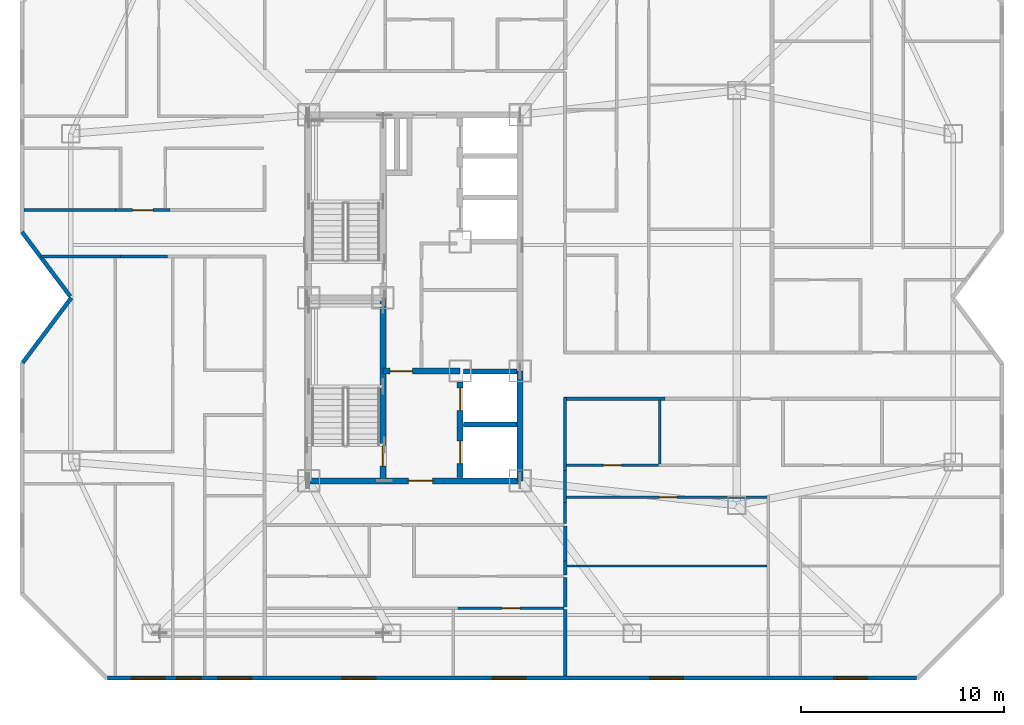
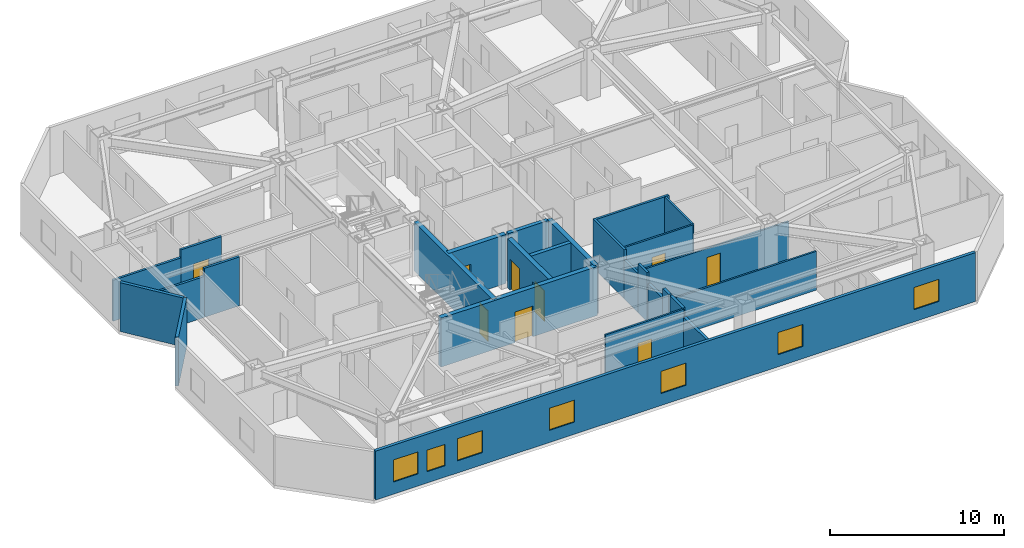
# One storey, part 6 of 11: 27 walls, 9 doors, 7 windows, 16 openings.
"""IFC4 building model written with IfcOpenShell, lengths in metres."""

import ifcopenshell
import ifcopenshell.guid

model = None  # the IFC model being written
_history = None  # IfcOwnerHistory: only IFC2X3 demands one
_inside = {}  # id of a spatial element -> (the spatial element, [elements in it])
_under = {}  # id of a project, library or spatial element -> (it, [spatial elements below it])
_declared = {}  # id of a project -> (the project, [libraries it declares])
_typed = {}  # id of a type object -> (the type object, [elements of that type])
_made_of = {}  # id of a material, layer set ... -> (it, [elements and type objects made of it])


def new_model(schema):
    """Start an empty IFC model of exactly this schema.

    Asked for "IFC4X3", IfcOpenShell would pick the latest addendum, in which some entities
    have other attributes; the version numbers below select the first issue.
    IFC2X3 requires an IfcOwnerHistory on every rooted entity: one is made here for all.
    """
    global model, _history
    if schema == "IFC4X3":
        model = ifcopenshell.file(schema_version=(4, 3, 0, 0))
    else:
        model = ifcopenshell.file(schema=schema)
    _inside.clear()
    _under.clear()
    _declared.clear()
    _typed.clear()
    _made_of.clear()
    _history = None
    if model.schema == "IFC2X3":
        org = make("IfcOrganization", Name="unknown")
        user = make(
            "IfcPersonAndOrganization",
            ThePerson=make("IfcPerson", FamilyName="unknown"),
            TheOrganization=org,
        )
        app = make(
            "IfcApplication",
            ApplicationDeveloper=org,
            Version="unknown",
            ApplicationFullName="unknown",
            ApplicationIdentifier="unknown",
        )
        _history = make(
            "IfcOwnerHistory",
            OwningUser=user,
            OwningApplication=app,
            ChangeAction="ADDED",
            CreationDate=0,
        )
    return model


def make(cls, **values):
    """One entity of the class cls with the attributes given. An attribute that is None is left unset."""
    return model.create_entity(
        cls, **{name: value for name, value in values.items() if value is not None}
    )


def rooted(cls, **values):
    """An entity with a GlobalId (a new one), such as an element, a storey or a relation."""
    return make(cls, GlobalId=ifcopenshell.guid.new(), OwnerHistory=_history, **values)


def si_unit(unit_type, name, prefix=None):
    """IfcSIUnit, for example si_unit("LENGTHUNIT", "METRE", prefix="MILLI")."""
    return make("IfcSIUnit", UnitType=unit_type, Prefix=prefix, Name=name)


def assignment(units):
    """IfcUnitAssignment: the units of a project."""
    return None if units is None else make("IfcUnitAssignment", Units=units)


def point(xyz):
    """IfcCartesianPoint."""
    return None if xyz is None else make("IfcCartesianPoint", Coordinates=xyz)


def direction(xyz):
    """IfcDirection."""
    return None if xyz is None else make("IfcDirection", DirectionRatios=xyz)


def frame(location, z_axis=None, x_axis=None):
    """IfcAxis2Placement3D, a coordinate frame: its origin and axes. An axis left out is left unset."""
    return make(
        "IfcAxis2Placement3D",
        Location=point(location),
        Axis=direction(z_axis),
        RefDirection=direction(x_axis),
    )


def frame_2d(location, x_axis=None):
    """IfcAxis2Placement2D, a coordinate frame in the plane: its origin and x axis."""
    return make(
        "IfcAxis2Placement2D", Location=point(location), RefDirection=direction(x_axis)
    )


def origin():
    """The frame at (0, 0, 0) with its axes left unset."""
    return frame((0.0, 0.0, 0.0))


def place(relative_to, where):
    """IfcLocalPlacement: puts the frame where relative to a parent placement (None: the world)."""
    return make(
        "IfcLocalPlacement", PlacementRelTo=relative_to, RelativePlacement=where
    )


def context(
    kind, dimensions, precision=None, world=None, true_north=None, identifier=None
):
    """IfcGeometricRepresentationContext, for example the 3D "Model" context."""
    return make(
        "IfcGeometricRepresentationContext",
        ContextIdentifier=identifier,
        ContextType=kind,
        CoordinateSpaceDimension=dimensions,
        Precision=precision,
        WorldCoordinateSystem=world,
        TrueNorth=true_north,
    )


def subcontext(parent, identifier, kind, view, scale=None):
    """IfcGeometricRepresentationSubContext, for example "Body" below "Model"."""
    return make(
        "IfcGeometricRepresentationSubContext",
        ContextIdentifier=identifier,
        ContextType=kind,
        ParentContext=parent,
        TargetScale=scale,
        TargetView=view,
    )


def project(units=None, contexts=None):
    """IfcProject with its units and contexts."""
    return rooted(
        "IfcProject",
        Name="project",
        RepresentationContexts=contexts,
        UnitsInContext=assignment(units),
    )


def spatial(cls, under=None, at=None, **own):
    """A site, building, storey or space (cls), placed at a placement, below another one or the project."""
    s = rooted(cls, ObjectPlacement=at, **own)
    if under is not None:
        _under.setdefault(under.id(), (under, []))[1].append(s)
    return s


def profile(cls, at=None, kind="AREA", **sizes):
    """A parametric profile (cls). Its sizes go by their IFC names, for example OverallWidth=200.0."""
    return make(cls, ProfileType=kind, Position=at, **sizes)


def rectangle(**sizes):
    """IfcRectangleProfileDef."""
    return profile("IfcRectangleProfileDef", **sizes)


def extrude(swept, where, along, depth):
    """IfcExtrudedAreaSolid: the profile swept, set in the frame where, extruded along a direction by depth."""
    return make(
        "IfcExtrudedAreaSolid",
        SweptArea=swept,
        Position=where,
        ExtrudedDirection=direction(along),
        Depth=depth,
    )


def shape(context_of_items, identifier, shape_type, items):
    """IfcShapeRepresentation: the items that make up one representation, for example the "Body"."""
    return make(
        "IfcShapeRepresentation",
        ContextOfItems=context_of_items,
        RepresentationIdentifier=identifier,
        RepresentationType=shape_type,
        Items=items,
    )


def material(Name=None, Category=None):
    """IfcMaterial."""
    return make("IfcMaterial", Name=Name, Category=Category)


def layer(
    of_material, thickness, ventilated=None, Name=None, Category=None, Priority=None
):
    """IfcMaterialLayer: one layer of a wall or slab, of a material (None: an air gap)."""
    return make(
        "IfcMaterialLayer",
        Material=of_material,
        LayerThickness=thickness,
        IsVentilated=ventilated,
        Name=Name,
        Category=Category,
        Priority=Priority,
    )


def layer_set(layers, Name=None):
    """IfcMaterialLayerSet."""
    return make("IfcMaterialLayerSet", MaterialLayers=layers, LayerSetName=Name)


def made_of(thing, what):
    """Note that an element or type object is made of a material, layer set ...; save() writes the relation."""
    if what is not None:
        _made_of.setdefault(what.id(), (what, []))[1].append(thing)
    return thing


def type_object(cls, material=None, **own):
    """A type object (cls), such as IfcWallType, which elements share."""
    return made_of(rooted(cls, **own), material)


def element(
    cls,
    number,
    at=None,
    inside=None,
    cuts=None,
    type_object=None,
    material=None,
    context=None,
    identifier="Body",
    shape_type=None,
    held_by="IfcProductDefinitionShape",
    body=None,
    shapes=None,
    **own,
):
    """One element of the class cls, such as IfcWall. Its Tag is "e" and its number.

    at: its placement. inside: the storey or other place that contains it. cuts: it is an
    opening in that element (IfcRelVoidsElement). A single representation is given by context,
    identifier, shape_type and body (its items); several are given by shapes. held_by: the class
    of the entity that holds the representations. save() writes the other relations.
    """
    e = rooted(cls, Tag="e%d" % number, ObjectPlacement=at, **own)
    if body is not None:
        shapes = [shape(context, identifier, shape_type, body)]
    if shapes is not None:
        e.Representation = make(held_by, Representations=shapes)
    if inside is not None:
        _inside.setdefault(inside.id(), (inside, []))[1].append(e)
    if cuts is not None:
        rooted(
            "IfcRelVoidsElement", RelatingBuildingElement=cuts, RelatedOpeningElement=e
        )
    if type_object is not None:
        _typed.setdefault(type_object.id(), (type_object, []))[1].append(e)
    return made_of(e, material)


def fill(opening, filler):
    """IfcRelFillsElement: the door or window that sits in an opening."""
    return rooted(
        "IfcRelFillsElement",
        RelatingOpeningElement=opening,
        RelatedBuildingElement=filler,
    )


def aggregate(whole, parts):
    """IfcRelAggregates: a whole, such as a stair, and the parts it consists of."""
    return rooted("IfcRelAggregates", RelatingObject=whole, RelatedObjects=parts)


def save(model, path):
    """Write the relations noted so far, then the file.

    IfcRelAggregates (storeys below a building ...), IfcRelContainedInSpatialStructure (elements
    in a storey), IfcRelDefinesByType, IfcRelAssociatesMaterial and IfcRelDeclares: one each for
    every whole, place, type object, material and project.
    """
    for whole, parts in _under.values():
        aggregate(whole, parts)
    for where, things in _inside.values():
        rooted(
            "IfcRelContainedInSpatialStructure",
            RelatedElements=things,
            RelatingStructure=where,
        )
    for kind, things in _typed.values():
        rooted("IfcRelDefinesByType", RelatedObjects=things, RelatingType=kind)
    for what, things in _made_of.values():
        rooted("IfcRelAssociatesMaterial", RelatedObjects=things, RelatingMaterial=what)
    for by, libraries in _declared.values():
        rooted("IfcRelDeclares", RelatingContext=by, RelatedDefinitions=libraries)
    model.write(path)


model = new_model("IFC4")

# Units and contexts
model_context = context("Model", 3, precision=1e-05, world=origin(), true_north=direction((0.0, 1.0)))
body_context = subcontext(model_context, "Body", "Model", "MODEL_VIEW")
ifc_project = project(units=[si_unit("LENGTHUNIT", "METRE"), si_unit("AREAUNIT", "SQUARE_METRE"), si_unit("VOLUMEUNIT", "CUBIC_METRE"), si_unit("PLANEANGLEUNIT", "RADIAN"), si_unit("MASSUNIT", "GRAM", prefix="KILO")], contexts=[model_context])

# Site, building, storey
site_placement = place(None, origin())
site = spatial("IfcSite", under=ifc_project, at=site_placement, CompositionType="ELEMENT")
building_placement = place(site_placement, origin())
building = spatial("IfcBuilding", under=site, at=building_placement, Name="Khamvora Tower", CompositionType="ELEMENT")
storey_placement = place(building_placement, frame((0.0, 0.0, 185.10009765625)))
storey = spatial("IfcBuildingStorey", under=building, at=storey_placement, Name="L47", CompositionType="ELEMENT", Elevation=185.10009765625)

# Wall, opening, door
ifc_material_1 = material(Name="Concrete C50/60", Category="concrete")
ifc_layer_1 = layer(ifc_material_1, 0.300048828125)
ifc_layer_set_1 = layer_set([ifc_layer_1], Name="Concrete C50/60")
wall_type_1 = type_object("IfcWallType", Name="WAL-CORE-300", PredefinedType="SHEAR", material=ifc_layer_set_1)
wall_1_placement = place(storey_placement, frame((29.0, 19.0, 0.0), z_axis=(0.0, 0.0, 1.0), x_axis=(1.0, 0.0, 0.0)))
wall_1 = element("IfcWall", 1, at=wall_1_placement, inside=storey, type_object=wall_type_1, Name="L47 central core south wall", PredefinedType="SHEAR", context=body_context, shape_type="SweptSolid", body=[
    extrude(rectangle(XDim=10.39990234375, YDim=0.300048828125, at=frame_2d((5.199951171875, 0.0))), origin(), (0.0, 0.0, 1.0), 3.429931640625),
])
opening_1_placement = place(wall_1_placement, frame((4.89990234375, 0.0, 0.0)))
opening_1 = element("IfcOpeningElement", 2, at=opening_1_placement, cuts=wall_1, Name="Opening D-CR1", PredefinedType="OPENING", context=body_context, shape_type="SweptSolid", body=[
    extrude(rectangle(XDim=1.199951171875, YDim=2.14990234375, at=frame_2d((0.60009765625, 1.074951171875))), frame((0.0, 0.159912109375, 0.0), z_axis=(0.0, -1.0, 0.0), x_axis=(1.0, 0.0, 0.0)), (0.0, 0.0, 1.0), 0.320068359375),
])
ifc_material_2 = material(Name="Powder-Coated Steel and Hardwood Leaf", Category="steel")
door_type_1 = type_object("IfcDoorType", Name="DOR-CORR-1200", OperationType="NOTDEFINED", PredefinedType="DOOR", material=ifc_material_2)
door_1_placement = place(opening_1_placement, origin())
door_1 = element("IfcDoor", 3, at=door_1_placement, inside=storey, type_object=door_type_1, Name="L47 south core lobby to corridor fire door", OperationType="SINGLE_SWING_LEFT", OverallHeight=2.14990234375, OverallWidth=1.199951171875, PredefinedType="DOOR", context=body_context, shape_type="SweptSolid", body=[
    extrude(rectangle(XDim=1.199951171875, YDim=2.14990234375, at=frame_2d((0.60009765625, 1.074951171875))), frame((0.0, 0.02490234375, 0.0), z_axis=(0.0, -1.0, 0.0), x_axis=(1.0, 0.0, 0.0)), (0.0, 0.0, 1.0), 0.050048828125),
])
fill(opening_1, door_1)

# Wall
wall_2_placement = place(storey_placement, frame((39.39990234375, 19.0, 0.0), z_axis=(0.0, 0.0, 1.0), x_axis=(0.0, 1.0, 0.0)))
element("IfcWall", 4, at=wall_2_placement, inside=storey, type_object=wall_type_1, Name="L47 central core east south wall", PredefinedType="SHEAR", context=body_context, shape_type="SweptSolid", body=[
    extrude(rectangle(XDim=5.39990234375, YDim=0.300048828125, at=frame_2d((2.699951171875, 0.0))), origin(), (0.0, 0.0, 1.0), 3.429931640625),
])

# Wall, opening, door
wall_3_placement = place(storey_placement, frame((32.64990234375, 19.0, 0.0), z_axis=(0.0, 0.0, 1.0), x_axis=(0.0, 1.0, 0.0)))
wall_3 = element("IfcWall", 5, at=wall_3_placement, inside=storey, type_object=wall_type_1, Name="L47 central core stair south spine wall", PredefinedType="SHEAR", context=body_context, shape_type="SweptSolid", body=[
    extrude(rectangle(XDim=9.0, YDim=0.300048828125, at=frame_2d((4.5, 0.0))), origin(), (0.0, 0.0, 1.0), 3.429931640625),
])
opening_2_placement = place(wall_3_placement, frame((0.719970703125, 0.0, 0.0)))
opening_2 = element("IfcOpeningElement", 6, at=opening_2_placement, cuts=wall_3, Name="Opening D-ST1", PredefinedType="OPENING", context=body_context, shape_type="SweptSolid", body=[
    extrude(rectangle(XDim=1.0, YDim=2.14990234375, at=frame_2d((0.5, 1.074951171875))), frame((0.0, 0.159912109375, 0.0), z_axis=(0.0, -1.0, 0.0), x_axis=(1.0, 0.0, 0.0)), (0.0, 0.0, 1.0), 0.320068359375),
])
door_type_2 = type_object("IfcDoorType", Name="DOR-STAIR-1000", OperationType="NOTDEFINED", PredefinedType="DOOR", material=ifc_material_2)
door_2_placement = place(opening_2_placement, origin())
door_2 = element("IfcDoor", 7, at=door_2_placement, inside=storey, type_object=door_type_2, Name="L47 exit stair ST-01 fire door", OperationType="SINGLE_SWING_RIGHT", OverallHeight=2.14990234375, OverallWidth=1.0, PredefinedType="DOOR", context=body_context, shape_type="SweptSolid", body=[
    extrude(rectangle(XDim=1.0, YDim=2.14990234375, at=frame_2d((0.5, 1.074951171875))), frame((0.0, 0.02490234375, 0.0), z_axis=(0.0, -1.0, 0.0), x_axis=(1.0, 0.0, 0.0)), (0.0, 0.0, 1.0), 0.050048828125),
])
fill(opening_2, door_2)

wall_4_placement = place(storey_placement, frame((32.64990234375, 24.39990234375, 0.0), z_axis=(0.0, 0.0, 1.0), x_axis=(1.0, 0.0, 0.0)))
wall_4 = element("IfcWall", 8, at=wall_4_placement, inside=storey, type_object=wall_type_1, Name="L47 central core firefighting lobby north wall", PredefinedType="SHEAR", context=body_context, shape_type="SweptSolid", body=[
    extrude(rectangle(XDim=3.800048828125, YDim=0.300048828125, at=frame_2d((1.89990234375, 0.0))), origin(), (0.0, 0.0, 1.0), 3.429931640625),
])
opening_3_placement = place(wall_4_placement, frame((0.35009765625, 0.0, 0.0)))
opening_3 = element("IfcOpeningElement", 9, at=opening_3_placement, cuts=wall_4, Name="Opening D-FF1", PredefinedType="OPENING", context=body_context, shape_type="SweptSolid", body=[
    extrude(rectangle(XDim=1.10009765625, YDim=2.14990234375, at=frame_2d((0.550048828125, 1.074951171875))), frame((0.0, 0.159912109375, 0.0), z_axis=(0.0, -1.0, 0.0), x_axis=(1.0, 0.0, 0.0)), (0.0, 0.0, 1.0), 0.320068359375),
])
door_type_3 = type_object("IfcDoorType", Name="DOR-FFLOB-1100", OperationType="NOTDEFINED", PredefinedType="DOOR", material=ifc_material_2)
door_3_placement = place(opening_3_placement, origin())
door_3 = element("IfcDoor", 10, at=door_3_placement, inside=storey, type_object=door_type_3, Name="L47 firefighting lobby smoke-seal fire door", OperationType="SINGLE_SWING_RIGHT", OverallHeight=2.14990234375, OverallWidth=1.10009765625, PredefinedType="DOOR", context=body_context, shape_type="SweptSolid", body=[
    extrude(rectangle(XDim=1.10009765625, YDim=2.14990234375, at=frame_2d((0.550048828125, 1.074951171875))), frame((0.0, 0.02490234375, 0.0), z_axis=(0.0, -1.0, 0.0), x_axis=(1.0, 0.0, 0.0)), (0.0, 0.0, 1.0), 0.050048828125),
])
fill(opening_3, door_3)

# Wall, openings, doors
wall_5_placement = place(storey_placement, frame((36.449951171875, 19.154052734375, 0.0), z_axis=(0.0, 0.0, 1.0), x_axis=(0.0, 1.0, 0.0)))
wall_5 = element("IfcWall", 11, at=wall_5_placement, inside=storey, type_object=wall_type_1, Name="L47 central core lift bank south wall", PredefinedType="SHEAR", context=body_context, shape_type="SweptSolid", body=[
    extrude(rectangle(XDim=4.696044921875, YDim=0.300048828125, at=frame_2d((2.34814453125, 0.0))), origin(), (0.0, 0.0, 1.0), 3.429931640625),
])
opening_4_placement = place(wall_5_placement, frame((0.696044921875, 0.0, 0.0)))
opening_4 = element("IfcOpeningElement", 12, at=opening_4_placement, cuts=wall_5, Name="Opening LD-FFL", PredefinedType="OPENING", context=body_context, shape_type="SweptSolid", body=[
    extrude(rectangle(XDim=1.10009765625, YDim=2.14990234375, at=frame_2d((0.550048828125, 1.074951171875))), frame((0.0, 0.159912109375, 0.0), z_axis=(0.0, -1.0, 0.0), x_axis=(1.0, 0.0, 0.0)), (0.0, 0.0, 1.0), 0.320068359375),
])
opening_5_placement = place(wall_5_placement, frame((3.31591796875, 0.0, 0.0)))
opening_5 = element("IfcOpeningElement", 13, at=opening_5_placement, cuts=wall_5, Name="Opening LD-FFL", PredefinedType="OPENING", context=body_context, shape_type="SweptSolid", body=[
    extrude(rectangle(XDim=1.10009765625, YDim=2.14990234375, at=frame_2d((0.550048828125, 1.074951171875))), frame((0.0, 0.159912109375, 0.0), z_axis=(0.0, -1.0, 0.0), x_axis=(1.0, 0.0, 0.0)), (0.0, 0.0, 1.0), 0.320068359375),
])
door_type_4 = type_object("IfcDoorType", Name="DOR-LIFT-1100", OperationType="SLIDING_TO_LEFT", PredefinedType="DOOR", material=ifc_material_2)
door_4_placement = place(opening_4_placement, origin())
door_4 = element("IfcDoor", 14, at=door_4_placement, inside=storey, type_object=door_type_4, Name="L47 lift landing sliding door FFL-01", OperationType="SLIDING_TO_LEFT", OverallHeight=2.14990234375, OverallWidth=1.10009765625, PredefinedType="DOOR", context=body_context, shape_type="SweptSolid", body=[
    extrude(rectangle(XDim=1.10009765625, YDim=2.14990234375, at=frame_2d((0.550048828125, 1.074951171875))), frame((0.0, 0.02490234375, 0.0), z_axis=(0.0, -1.0, 0.0), x_axis=(1.0, 0.0, 0.0)), (0.0, 0.0, 1.0), 0.050048828125),
])
fill(opening_4, door_4)
door_5_placement = place(opening_5_placement, origin())
door_5 = element("IfcDoor", 15, at=door_5_placement, inside=storey, type_object=door_type_4, Name="L47 lift landing sliding door FFL-02", OperationType="SLIDING_TO_LEFT", OverallHeight=2.14990234375, OverallWidth=1.10009765625, PredefinedType="DOOR", context=body_context, shape_type="SweptSolid", body=[
    extrude(rectangle(XDim=1.10009765625, YDim=2.14990234375, at=frame_2d((0.550048828125, 1.074951171875))), frame((0.0, 0.02490234375, 0.0), z_axis=(0.0, -1.0, 0.0), x_axis=(1.0, 0.0, 0.0)), (0.0, 0.0, 1.0), 0.050048828125),
])
fill(opening_5, door_5)

# Walls
ifc_material_3 = material(Name="Fire-Rated Drywall and Steel Stud", Category="steel")
ifc_layer_2 = layer(ifc_material_3, 0.14990234375)
ifc_layer_set_2 = layer_set([ifc_layer_2], Name="Fire-Rated Drywall and Steel Stud")
wall_type_2 = type_object("IfcWallType", Name="WAL-CORR-150", PredefinedType="STANDARD", material=ifc_layer_set_2)
wall_6_placement = place(storey_placement, frame((19.737060546875, 30.034912109375, 0.0), z_axis=(0.0, 0.0, 1.0), x_axis=(-1.0, 0.0, 0.0)))
element("IfcWall", 16, at=wall_6_placement, inside=storey, type_object=wall_type_2, Name="L47 interior partition wall 012", PredefinedType="STANDARD", context=body_context, shape_type="SweptSolid", body=[
    extrude(rectangle(XDim=3.912109375, YDim=0.14990234375, at=frame_2d((1.9560546875, 0.0))), origin(), (0.0, 0.0, 1.0), 2.8759765625),
])
wall_7_placement = place(storey_placement, frame((22.06103515625, 30.034912109375, 0.0), z_axis=(0.0, 0.0, 1.0), x_axis=(-1.0, 0.0, 0.0)))
element("IfcWall", 17, at=wall_7_placement, inside=storey, type_object=wall_type_2, Name="L47 interior partition wall 013", PredefinedType="STANDARD", context=body_context, shape_type="SweptSolid", body=[
    extrude(rectangle(XDim=2.323974609375, YDim=0.14990234375, at=frame_2d((1.162109375, 0.0))), origin(), (0.0, 0.0, 1.0), 3.429931640625),
])

# Wall, opening, door
wall_8_placement = place(storey_placement, frame((19.490966796875, 32.31494140625, 0.0), z_axis=(0.0, 0.0, 1.0), x_axis=(1.0, 0.0, 0.0)))
wall_8 = element("IfcWall", 18, at=wall_8_placement, inside=storey, type_object=wall_type_2, Name="L47 interior partition wall 014", PredefinedType="STANDARD", context=body_context, shape_type="SweptSolid", body=[
    extrude(rectangle(XDim=2.697998046875, YDim=0.14990234375, at=frame_2d((1.34912109375, 0.0))), origin(), (0.0, 0.0, 1.0), 3.429931640625),
])
opening_6_placement = place(wall_8_placement, frame((0.84912109375, 0.0, 0.0)))
opening_6 = element("IfcOpeningElement", 19, at=opening_6_placement, cuts=wall_8, Name="Opening D-U1", PredefinedType="OPENING", context=body_context, shape_type="SweptSolid", body=[
    extrude(rectangle(XDim=1.0, YDim=2.14990234375, at=frame_2d((0.5, 1.074951171875))), frame((0.0, 0.0849609375, 0.0), z_axis=(0.0, -1.0, 0.0), x_axis=(1.0, 0.0, 0.0)), (0.0, 0.0, 1.0), 0.169921875),
])
door_type_5 = type_object("IfcDoorType", Name="DOR-UNIT-1000", OperationType="NOTDEFINED", PredefinedType="DOOR", material=ifc_material_2)
door_6_placement = place(opening_6_placement, origin())
door_6 = element("IfcDoor", 20, at=door_6_placement, inside=storey, type_object=door_type_5, Name="L47 interior door COR-47WBH", OperationType="SINGLE_SWING_LEFT", OverallHeight=2.14990234375, OverallWidth=1.0, PredefinedType="DOOR", context=body_context, shape_type="SweptSolid", body=[
    extrude(rectangle(XDim=1.0, YDim=2.14990234375, at=frame_2d((0.5, 1.074951171875))), frame((0.0, 0.02490234375, 0.0), z_axis=(0.0, -1.0, 0.0), x_axis=(1.0, 0.0, 0.0)), (0.0, 0.0, 1.0), 0.050048828125),
])
fill(opening_6, door_6)

# Walls
wall_9_placement = place(storey_placement, frame((14.991943359375, 32.31494140625, 0.0), z_axis=(0.0, 0.0, 1.0), x_axis=(1.0, 0.0, 0.0)))
element("IfcWall", 21, at=wall_9_placement, inside=storey, type_object=wall_type_2, Name="L47 interior partition wall 015", PredefinedType="STANDARD", context=body_context, shape_type="SweptSolid", body=[
    extrude(rectangle(XDim=4.4990234375, YDim=0.14990234375, at=frame_2d((2.24951171875, 0.0))), origin(), (0.0, 0.0, 1.0), 2.8759765625),
])
wall_10_placement = place(storey_placement, frame((46.51904296875, 23.034912109375, 0.0), z_axis=(0.0, 0.0, 1.0), x_axis=(-1.0, 0.0, 0.0)))
element("IfcWall", 22, at=wall_10_placement, inside=storey, type_object=wall_type_2, Name="L47 interior partition wall 024", PredefinedType="STANDARD", context=body_context, shape_type="SweptSolid", body=[
    extrude(rectangle(XDim=4.968994140625, YDim=0.14990234375, at=frame_2d((2.484375, 0.0))), origin(), (0.0, 0.0, 1.0), 3.429931640625),
])
wall_11_placement = place(storey_placement, frame((41.614990234375, 23.10009765625, 0.0), z_axis=(0.0, 0.0, 1.0), x_axis=(0.0, -1.0, 0.0)))
element("IfcWall", 23, at=wall_11_placement, inside=storey, type_object=wall_type_2, Name="L47 interior partition wall 025", PredefinedType="STANDARD", context=body_context, shape_type="SweptSolid", body=[
    extrude(rectangle(XDim=3.5830078125, YDim=0.14990234375, at=frame_2d((1.79150390625, 0.0))), origin(), (0.0, 0.0, 1.0), 3.429931640625),
])
wall_12_placement = place(storey_placement, frame((41.614990234375, 19.51708984375, 0.0), z_axis=(0.0, 0.0, 1.0), x_axis=(0.0, -1.0, 0.0)))
element("IfcWall", 24, at=wall_12_placement, inside=storey, type_object=wall_type_2, Name="L47 interior partition wall 028", PredefinedType="STANDARD", context=body_context, shape_type="SweptSolid", body=[
    extrude(rectangle(XDim=1.580078125, YDim=0.14990234375, at=frame_2d((0.7900390625, 0.0))), origin(), (0.0, 0.0, 1.0), 2.724853515625),
])
wall_13_placement = place(storey_placement, frame((41.614990234375, 17.93701171875, 0.0), z_axis=(0.0, 0.0, 1.0), x_axis=(0.0, -1.0, 0.0)))
element("IfcWall", 25, at=wall_13_placement, inside=storey, type_object=wall_type_2, Name="L47 interior partition wall 031", PredefinedType="STANDARD", context=body_context, shape_type="SweptSolid", body=[
    extrude(rectangle(XDim=1.037109375, YDim=0.14990234375, at=frame_2d((0.5185546875, 0.0))), origin(), (0.0, 0.0, 1.0), 3.429931640625),
])
ifc_material_4 = material(Name="Acoustic Double-Stud Fire Wall", Category="gypsum")
ifc_layer_3 = layer(ifc_material_4, 0.179931640625)
ifc_layer_set_3 = layer_set([ifc_layer_3], Name="Acoustic Double-Stud Fire Wall")
wall_type_3 = type_object("IfcWallType", Name="WAL-CORR-180", PredefinedType="STANDARD", material=ifc_layer_set_3)
wall_14_placement = place(storey_placement, frame((41.614990234375, 14.239990234375, 0.0), z_axis=(0.0, 0.0, 1.0), x_axis=(0.0, -1.0, 0.0)))
element("IfcWall", 26, at=wall_14_placement, inside=storey, type_object=wall_type_3, Name="L47 interior partition wall 077", PredefinedType="STANDARD", context=body_context, shape_type="SweptSolid", body=[
    extrude(rectangle(XDim=1.449951171875, YDim=0.179931640625, at=frame_2d((0.72509765625, 0.0))), origin(), (0.0, 0.0, 1.0), 3.429931640625),
])
wall_15_placement = place(storey_placement, frame((41.614990234375, 15.05810546875, 0.0), z_axis=(0.0, 0.0, 1.0), x_axis=(0.0, -1.0, 0.0)))
element("IfcWall", 27, at=wall_15_placement, inside=storey, type_object=wall_type_3, Name="L47 interior partition wall 078", PredefinedType="STANDARD", context=body_context, shape_type="SweptSolid", body=[
    extrude(rectangle(XDim=0.68798828125, YDim=0.179931640625, at=frame_2d((0.343994140625, 0.0))), origin(), (0.0, 0.0, 1.0), 3.429931640625),
])
wall_16_placement = place(storey_placement, frame((41.614990234375, 16.77001953125, 0.0), z_axis=(0.0, 0.0, 1.0), x_axis=(0.0, -1.0, 0.0)))
element("IfcWall", 28, at=wall_16_placement, inside=storey, type_object=wall_type_3, Name="L47 interior partition wall 079", PredefinedType="STANDARD", context=body_context, shape_type="SweptSolid", body=[
    extrude(rectangle(XDim=1.7119140625, YDim=0.179931640625, at=frame_2d((0.85595703125, 0.0))), origin(), (0.0, 0.0, 1.0), 2.724853515625),
])
wall_17_placement = place(storey_placement, frame((41.614990234375, 12.659912109375, 0.0), z_axis=(0.0, 0.0, 1.0), x_axis=(0.0, -1.0, 0.0)))
element("IfcWall", 29, at=wall_17_placement, inside=storey, type_object=wall_type_3, Name="L47 interior partition wall 081", PredefinedType="STANDARD", context=body_context, shape_type="SweptSolid", body=[
    extrude(rectangle(XDim=3.267822265625, YDim=0.179931640625, at=frame_2d((1.6337890625, 0.0))), origin(), (0.0, 0.0, 1.0), 2.8759765625),
])
ifc_material_5 = material(Name="Precast concrete C40/50", Category="concrete")
ifc_layer_4 = layer(ifc_material_5, 0.199951171875)
ifc_layer_set_4 = layer_set([ifc_layer_4], Name="Precast concrete C40/50")
wall_type_4 = type_object("IfcWallType", Name="WAL-EXT-200", PredefinedType="STANDARD", material=ifc_layer_set_4)
wall_18_placement = place(storey_placement, frame((14.929931640625, 24.806884765625, 0.0), z_axis=(0.0, 0.0, 1.0), x_axis=(0.600029358831, 0.799977980035, 0.0)))
element("IfcWall", 30, at=wall_18_placement, inside=storey, type_object=wall_type_4, Name="L47 exterior facade wall 03.1", PredefinedType="STANDARD", context=body_context, shape_type="SweptSolid", body=[
    extrude(rectangle(XDim=3.991455078125, YDim=0.199951171875, at=frame_2d((1.99560546875, 0.0))), origin(), (0.0, 0.0, 1.0), 3.429931640625),
])
wall_19_placement = place(storey_placement, frame((17.27294921875, 28.069091796875, 0.0), z_axis=(0.0, 0.0, 1.0), x_axis=(-0.600029630681, 0.799977776132, 0.0)))
element("IfcWall", 31, at=wall_19_placement, inside=storey, type_object=wall_type_4, Name="L47 exterior facade wall 04.1", PredefinedType="STANDARD", context=body_context, shape_type="SweptSolid", body=[
    extrude(rectangle(XDim=3.954833984375, YDim=0.199951171875, at=frame_2d((1.9775390625, 0.0))), origin(), (0.0, 0.0, 1.0), 3.429931640625),
])

# Wall, openings, windows
wall_20_placement = place(storey_placement, frame((58.89599609375, 9.300048828125, 0.0), z_axis=(0.0, 0.0, 1.0), x_axis=(-1.0, 0.0, 0.0)))
wall_20 = element("IfcWall", 32, at=wall_20_placement, inside=storey, type_object=wall_type_4, Name="L47 exterior facade wall 14.1", PredefinedType="STANDARD", context=body_context, shape_type="SweptSolid", body=[
    extrude(rectangle(XDim=39.79296875, YDim=0.199951171875, at=frame_2d((19.896484375, 0.0))), origin(), (0.0, 0.0, 1.0), 3.429931640625),
])
opening_7_placement = place(wall_20_placement, frame((32.7080078125, 0.0, 0.85009765625)))
opening_7 = element("IfcOpeningElement", 33, at=opening_7_placement, cuts=wall_20, Name="Opening WN-06", PredefinedType="OPENING", context=body_context, shape_type="SweptSolid", body=[
    extrude(rectangle(XDim=1.64990234375, YDim=1.550048828125, at=frame_2d((0.824951171875, 0.77490234375))), frame((0.0, 0.10986328125, 0.0), z_axis=(0.0, -1.0, 0.0), x_axis=(1.0, 0.0, 0.0)), (0.0, 0.0, 1.0), 0.219970703125),
])
opening_8_placement = place(wall_20_placement, frame((35.196044921875, 0.0, 0.800048828125)))
opening_8 = element("IfcOpeningElement", 34, at=opening_8_placement, cuts=wall_20, Name="Opening WN-03", PredefinedType="OPENING", context=body_context, shape_type="SweptSolid", body=[
    extrude(rectangle(XDim=1.199951171875, YDim=1.5, at=frame_2d((0.60009765625, 0.75))), frame((0.0, 0.10986328125, 0.0), z_axis=(0.0, -1.0, 0.0), x_axis=(1.0, 0.0, 0.0)), (0.0, 0.0, 1.0), 0.219970703125),
])
opening_9_placement = place(wall_20_placement, frame((36.971923828125, 0.0, 0.85009765625)))
opening_9 = element("IfcOpeningElement", 35, at=opening_9_placement, cuts=wall_20, Name="Opening WN-06", PredefinedType="OPENING", context=body_context, shape_type="SweptSolid", body=[
    extrude(rectangle(XDim=1.64990234375, YDim=1.550048828125, at=frame_2d((0.824951171875, 0.77490234375))), frame((0.0, 0.10986328125, 0.0), z_axis=(0.0, -1.0, 0.0), x_axis=(1.0, 0.0, 0.0)), (0.0, 0.0, 1.0), 0.219970703125),
])
opening_10_placement = place(wall_20_placement, frame((26.60205078125, 0.0, 0.85009765625)))
opening_10 = element("IfcOpeningElement", 36, at=opening_10_placement, cuts=wall_20, Name="Opening WN-06", PredefinedType="OPENING", context=body_context, shape_type="SweptSolid", body=[
    extrude(rectangle(XDim=1.64990234375, YDim=1.550048828125, at=frame_2d((0.824951171875, 0.77490234375))), frame((0.0, 0.10986328125, 0.0), z_axis=(0.0, -1.0, 0.0), x_axis=(1.0, 0.0, 0.0)), (0.0, 0.0, 1.0), 0.219970703125),
])
opening_11_placement = place(wall_20_placement, frame((19.2119140625, 0.0, 0.85009765625)))
opening_11 = element("IfcOpeningElement", 37, at=opening_11_placement, cuts=wall_20, Name="Opening WN-06", PredefinedType="OPENING", context=body_context, shape_type="SweptSolid", body=[
    extrude(rectangle(XDim=1.64990234375, YDim=1.550048828125, at=frame_2d((0.824951171875, 0.77490234375))), frame((0.0, 0.10986328125, 0.0), z_axis=(0.0, -1.0, 0.0), x_axis=(1.0, 0.0, 0.0)), (0.0, 0.0, 1.0), 0.219970703125),
])
opening_12_placement = place(wall_20_placement, frame((11.462890625, 0.0, 0.85009765625)))
opening_12 = element("IfcOpeningElement", 38, at=opening_12_placement, cuts=wall_20, Name="Opening WN-06", PredefinedType="OPENING", context=body_context, shape_type="SweptSolid", body=[
    extrude(rectangle(XDim=1.64990234375, YDim=1.550048828125, at=frame_2d((0.824951171875, 0.77490234375))), frame((0.0, 0.10986328125, 0.0), z_axis=(0.0, -1.0, 0.0), x_axis=(1.0, 0.0, 0.0)), (0.0, 0.0, 1.0), 0.219970703125),
])
opening_13_placement = place(wall_20_placement, frame((2.429931640625, 0.0, 0.85009765625)))
opening_13 = element("IfcOpeningElement", 39, at=opening_13_placement, cuts=wall_20, Name="Opening WN-06", PredefinedType="OPENING", context=body_context, shape_type="SweptSolid", body=[
    extrude(rectangle(XDim=1.64990234375, YDim=1.550048828125, at=frame_2d((0.824951171875, 0.77490234375))), frame((0.0, 0.10986328125, 0.0), z_axis=(0.0, -1.0, 0.0), x_axis=(1.0, 0.0, 0.0)), (0.0, 0.0, 1.0), 0.219970703125),
])
ifc_material_6 = material(Name="Low-E Laminated Double Glazing", Category="glass")
window_type_1 = type_object("IfcWindowType", Name="WIN-VIS-1200x1500", PartitioningType="SINGLE_PANEL", PredefinedType="WINDOW", material=ifc_material_6)
window_1_placement = place(opening_8_placement, origin())
window_1 = element("IfcWindow", 40, at=window_1_placement, inside=storey, type_object=window_type_1, Name="L47 vision window 14.1.02", OverallHeight=1.5, OverallWidth=1.199951171875, PartitioningType="SINGLE_PANEL", PredefinedType="WINDOW", context=body_context, shape_type="SweptSolid", body=[
    extrude(rectangle(XDim=1.199951171875, YDim=1.5, at=frame_2d((0.60009765625, 0.75))), frame((0.0, 0.030029296875, 0.0), z_axis=(0.0, -1.0, 0.0), x_axis=(1.0, 0.0, 0.0)), (0.0, 0.0, 1.0), 0.06005859375),
])
fill(opening_8, window_1)
window_type_2 = type_object("IfcWindowType", Name="WIN-VIS-1650x1550", PartitioningType="SINGLE_PANEL", PredefinedType="WINDOW", material=ifc_material_6)
window_2_placement = place(opening_7_placement, origin())
window_2 = element("IfcWindow", 41, at=window_2_placement, inside=storey, type_object=window_type_2, Name="L47 vision window 14.1.01", OverallHeight=1.550048828125, OverallWidth=1.64990234375, PartitioningType="SINGLE_PANEL", PredefinedType="WINDOW", context=body_context, shape_type="SweptSolid", body=[
    extrude(rectangle(XDim=1.64990234375, YDim=1.550048828125, at=frame_2d((0.824951171875, 0.77490234375))), frame((0.0, 0.030029296875, 0.0), z_axis=(0.0, -1.0, 0.0), x_axis=(1.0, 0.0, 0.0)), (0.0, 0.0, 1.0), 0.06005859375),
])
fill(opening_7, window_2)
window_3_placement = place(opening_9_placement, origin())
window_3 = element("IfcWindow", 42, at=window_3_placement, inside=storey, type_object=window_type_2, Name="L47 vision window 14.1.03", OverallHeight=1.550048828125, OverallWidth=1.64990234375, PartitioningType="SINGLE_PANEL", PredefinedType="WINDOW", context=body_context, shape_type="SweptSolid", body=[
    extrude(rectangle(XDim=1.64990234375, YDim=1.550048828125, at=frame_2d((0.824951171875, 0.77490234375))), frame((0.0, 0.030029296875, 0.0), z_axis=(0.0, -1.0, 0.0), x_axis=(1.0, 0.0, 0.0)), (0.0, 0.0, 1.0), 0.06005859375),
])
fill(opening_9, window_3)
window_4_placement = place(opening_10_placement, origin())
window_4 = element("IfcWindow", 43, at=window_4_placement, inside=storey, type_object=window_type_2, Name="L47 vision window 14.1.04", OverallHeight=1.550048828125, OverallWidth=1.64990234375, PartitioningType="SINGLE_PANEL", PredefinedType="WINDOW", context=body_context, shape_type="SweptSolid", body=[
    extrude(rectangle(XDim=1.64990234375, YDim=1.550048828125, at=frame_2d((0.824951171875, 0.77490234375))), frame((0.0, 0.030029296875, 0.0), z_axis=(0.0, -1.0, 0.0), x_axis=(1.0, 0.0, 0.0)), (0.0, 0.0, 1.0), 0.06005859375),
])
fill(opening_10, window_4)
window_5_placement = place(opening_11_placement, origin())
window_5 = element("IfcWindow", 44, at=window_5_placement, inside=storey, type_object=window_type_2, Name="L47 vision window 14.1.05", OverallHeight=1.550048828125, OverallWidth=1.64990234375, PartitioningType="SINGLE_PANEL", PredefinedType="WINDOW", context=body_context, shape_type="SweptSolid", body=[
    extrude(rectangle(XDim=1.64990234375, YDim=1.550048828125, at=frame_2d((0.824951171875, 0.77490234375))), frame((0.0, 0.030029296875, 0.0), z_axis=(0.0, -1.0, 0.0), x_axis=(1.0, 0.0, 0.0)), (0.0, 0.0, 1.0), 0.06005859375),
])
fill(opening_11, window_5)
window_6_placement = place(opening_12_placement, origin())
window_6 = element("IfcWindow", 45, at=window_6_placement, inside=storey, type_object=window_type_2, Name="L47 vision window 14.1.06", OverallHeight=1.550048828125, OverallWidth=1.64990234375, PartitioningType="SINGLE_PANEL", PredefinedType="WINDOW", context=body_context, shape_type="SweptSolid", body=[
    extrude(rectangle(XDim=1.64990234375, YDim=1.550048828125, at=frame_2d((0.824951171875, 0.77490234375))), frame((0.0, 0.030029296875, 0.0), z_axis=(0.0, -1.0, 0.0), x_axis=(1.0, 0.0, 0.0)), (0.0, 0.0, 1.0), 0.06005859375),
])
fill(opening_12, window_6)
window_7_placement = place(opening_13_placement, origin())
window_7 = element("IfcWindow", 46, at=window_7_placement, inside=storey, type_object=window_type_2, Name="L47 vision window 14.1.07", OverallHeight=1.550048828125, OverallWidth=1.64990234375, PartitioningType="SINGLE_PANEL", PredefinedType="WINDOW", context=body_context, shape_type="SweptSolid", body=[
    extrude(rectangle(XDim=1.64990234375, YDim=1.550048828125, at=frame_2d((0.824951171875, 0.77490234375))), frame((0.0, 0.030029296875, 0.0), z_axis=(0.0, -1.0, 0.0), x_axis=(1.0, 0.0, 0.0)), (0.0, 0.0, 1.0), 0.06005859375),
])
fill(opening_13, window_7)

# Wall, opening, door
ifc_material_7 = material(Name="Gypsum Plasterboard Partition", Category="gypsum")
ifc_layer_5 = layer(ifc_material_7, 0.1201171875)
ifc_layer_set_5 = layer_set([ifc_layer_5], Name="Gypsum Plasterboard Partition")
wall_type_5 = type_object("IfcWallType", Name="WAL-PART-120", PredefinedType="PARTITIONING", material=ifc_layer_set_5)
wall_21_placement = place(storey_placement, frame((41.550048828125, 12.72509765625, 0.0), z_axis=(0.0, 0.0, 1.0), x_axis=(-1.0, 0.0, 0.0)))
wall_21 = element("IfcWall", 47, at=wall_21_placement, inside=storey, type_object=wall_type_5, Name="L47 interior partition wall 076", PredefinedType="PARTITIONING", context=body_context, shape_type="SweptSolid", body=[
    extrude(rectangle(XDim=5.197021484375, YDim=0.1201171875, at=frame_2d((2.5986328125, 0.0))), origin(), (0.0, 0.0, 1.0), 3.429931640625),
])
opening_14_placement = place(wall_21_placement, frame((2.14794921875, 0.0, 0.0)))
opening_14 = element("IfcOpeningElement", 48, at=opening_14_placement, cuts=wall_21, Name="Opening D-RM1", PredefinedType="OPENING", context=body_context, shape_type="SweptSolid", body=[
    extrude(rectangle(XDim=0.89990234375, YDim=2.10009765625, at=frame_2d((0.449951171875, 1.050048828125))), frame((0.0, 0.070068359375, 0.0), z_axis=(0.0, -1.0, 0.0), x_axis=(1.0, 0.0, 0.0)), (0.0, 0.0, 1.0), 0.14013671875),
])
door_type_6 = type_object("IfcDoorType", Name="DOR-ROOM-900", OperationType="NOTDEFINED", PredefinedType="DOOR", material=ifc_material_2)
door_7_placement = place(opening_14_placement, origin())
door_7 = element("IfcDoor", 49, at=door_7_placement, inside=storey, type_object=door_type_6, Name="L47 interior door 47SAH-47SAR2", OperationType="SINGLE_SWING_LEFT", OverallHeight=2.10009765625, OverallWidth=0.89990234375, PredefinedType="DOOR", context=body_context, shape_type="SweptSolid", body=[
    extrude(rectangle(XDim=0.89990234375, YDim=2.10009765625, at=frame_2d((0.449951171875, 1.050048828125))), frame((0.0, 0.02490234375, 0.0), z_axis=(0.0, -1.0, 0.0), x_axis=(1.0, 0.0, 0.0)), (0.0, 0.0, 1.0), 0.050048828125),
])
fill(opening_14, door_7)

wall_22_placement = place(storey_placement, frame((46.205078125, 19.76611328125, 0.0), z_axis=(0.0, 0.0, 1.0), x_axis=(-1.0, 0.0, 0.0)))
wall_22 = element("IfcWall", 50, at=wall_22_placement, inside=storey, type_object=wall_type_5, Name="L47 interior partition wall 090", PredefinedType="PARTITIONING", context=body_context, shape_type="SweptSolid", body=[
    extrude(rectangle(XDim=4.523193359375, YDim=0.1201171875, at=frame_2d((2.26171875, 0.0))), origin(), (0.0, 0.0, 1.0), 3.429931640625),
])
opening_15_placement = place(wall_22_placement, frame((1.81103515625, 0.0, 0.0)))
opening_15 = element("IfcOpeningElement", 51, at=opening_15_placement, cuts=wall_22, Name="Opening D-RM1", PredefinedType="OPENING", context=body_context, shape_type="SweptSolid", body=[
    extrude(rectangle(XDim=0.89990234375, YDim=2.10009765625, at=frame_2d((0.449951171875, 1.050048828125))), frame((0.0, 0.070068359375, 0.0), z_axis=(0.0, -1.0, 0.0), x_axis=(1.0, 0.0, 0.0)), (0.0, 0.0, 1.0), 0.14013671875),
])
door_8_placement = place(opening_15_placement, origin())
door_8 = element("IfcDoor", 52, at=door_8_placement, inside=storey, type_object=door_type_6, Name="L47 interior door 47EAW1-47EAH", OperationType="SINGLE_SWING_LEFT", OverallHeight=2.10009765625, OverallWidth=0.89990234375, PredefinedType="DOOR", context=body_context, shape_type="SweptSolid", body=[
    extrude(rectangle(XDim=0.89990234375, YDim=2.10009765625, at=frame_2d((0.449951171875, 1.050048828125))), frame((0.0, 0.02490234375, 0.0), z_axis=(0.0, -1.0, 0.0), x_axis=(1.0, 0.0, 0.0)), (0.0, 0.0, 1.0), 0.050048828125),
])
fill(opening_15, door_8)

wall_23_placement = place(storey_placement, frame((51.6650390625, 18.18603515625, 0.0), z_axis=(0.0, 0.0, 1.0), x_axis=(-1.0, 0.0, 0.0)))
wall_23 = element("IfcWall", 53, at=wall_23_placement, inside=storey, type_object=wall_type_5, Name="L47 interior partition wall 100", PredefinedType="PARTITIONING", context=body_context, shape_type="SweptSolid", body=[
    extrude(rectangle(XDim=9.983154296875, YDim=0.1201171875, at=frame_2d((4.99169921875, 0.0))), origin(), (0.0, 0.0, 1.0), 2.724853515625),
])
opening_16_placement = place(wall_23_placement, frame((4.5419921875, 0.0, 0.0)))
opening_16 = element("IfcOpeningElement", 54, at=opening_16_placement, cuts=wall_23, Name="Opening D-RM1", PredefinedType="OPENING", context=body_context, shape_type="SweptSolid", body=[
    extrude(rectangle(XDim=0.89990234375, YDim=2.10009765625, at=frame_2d((0.449951171875, 1.050048828125))), frame((0.0, 0.070068359375, 0.0), z_axis=(0.0, -1.0, 0.0), x_axis=(1.0, 0.0, 0.0)), (0.0, 0.0, 1.0), 0.14013671875),
])
door_9_placement = place(opening_16_placement, origin())
door_9 = element("IfcDoor", 55, at=door_9_placement, inside=storey, type_object=door_type_6, Name="L47 interior door 47EAH-47EAR2", OperationType="SINGLE_SWING_RIGHT", OverallHeight=2.10009765625, OverallWidth=0.89990234375, PredefinedType="DOOR", context=body_context, shape_type="SweptSolid", body=[
    extrude(rectangle(XDim=0.89990234375, YDim=2.10009765625, at=frame_2d((0.449951171875, 1.050048828125))), frame((0.0, 0.02490234375, 0.0), z_axis=(0.0, -1.0, 0.0), x_axis=(1.0, 0.0, 0.0)), (0.0, 0.0, 1.0), 0.050048828125),
])
fill(opening_16, door_9)

# Walls
wall_24_placement = place(storey_placement, frame((41.697021484375, 14.80908203125, 0.0), z_axis=(0.0, 0.0, 1.0), x_axis=(1.0, 0.0, 0.0)))
element("IfcWall", 56, at=wall_24_placement, inside=storey, type_object=wall_type_5, Name="L47 interior partition wall 104", PredefinedType="PARTITIONING", context=body_context, shape_type="SweptSolid", body=[
    extrude(rectangle(XDim=9.848876953125, YDim=0.1201171875, at=frame_2d((4.92431640625, 0.0))), origin(), (0.0, 0.0, 1.0), 2.724853515625),
])
ifc_material_8 = material(Name="Concrete C40/50", Category="concrete")
ifc_layer_6 = layer(ifc_material_8, 0.25)
ifc_layer_set_6 = layer_set([ifc_layer_6], Name="Concrete C40/50")
wall_type_6 = type_object("IfcWallType", Name="WAL-PODS-250", PredefinedType="SHEAR", material=ifc_layer_set_6)
for number, where, z_axis, x_axis, name in (
    (57, (36.60400390625, 21.77490234375, 0.0), (0.0, 0.0, 1.0), (1.0, 0.0, 0.0), "L47 lift shaft divider wall FFL-01"),
    (58, (36.60400390625, 24.375, 0.0), (0.0, 0.0, 1.0), (1.0, 0.0, 0.0), "L47 lift shaft divider wall FFL-02"),
):
    element("IfcWall", number, at=place(storey_placement, frame(where, z_axis=z_axis, x_axis=x_axis)), inside=storey, type_object=wall_type_6, Name=name, PredefinedType="SHEAR", context=body_context, shape_type="SweptSolid", body=[
        extrude(rectangle(XDim=2.64208984375, YDim=0.25, at=frame_2d((1.321044921875, 0.0))), origin(), (0.0, 0.0, 1.0), 3.429931640625),
    ])
ifc_material_9 = material(Name="Moisture-Resistant Plasterboard Partition", Category="gypsum")
ifc_layer_7 = layer(ifc_material_9, 0.135009765625)
ifc_layer_set_7 = layer_set([ifc_layer_7], Name="Moisture-Resistant Plasterboard Partition")
wall_type_7 = type_object("IfcWallType", Name="WAL-WET-135", PredefinedType="PARTITIONING", material=ifc_layer_set_7)
wall_25_placement = place(storey_placement, frame((46.27001953125, 22.969970703125, 0.0), z_axis=(0.0, 0.0, 1.0), x_axis=(0.0, -1.0, 0.0)))
element("IfcWall", 59, at=wall_25_placement, inside=storey, type_object=wall_type_7, Name="L47 interior partition wall 091", PredefinedType="PARTITIONING", context=body_context, shape_type="SweptSolid", body=[
    extrude(rectangle(XDim=3.138916015625, YDim=0.135009765625, at=frame_2d((1.5693359375, 0.0))), origin(), (0.0, 0.0, 1.0), 3.429931640625),
])

save(model, "model.ifc")
